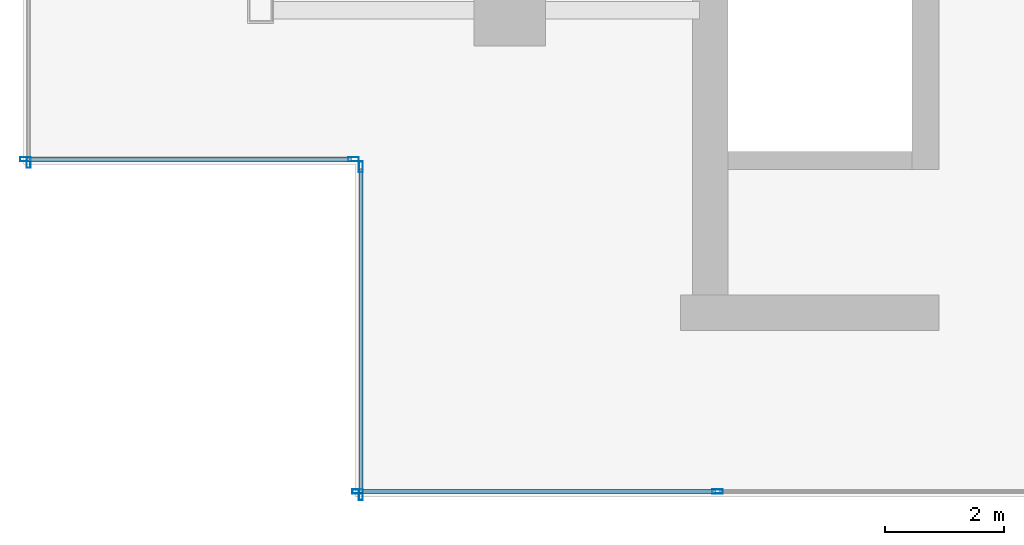
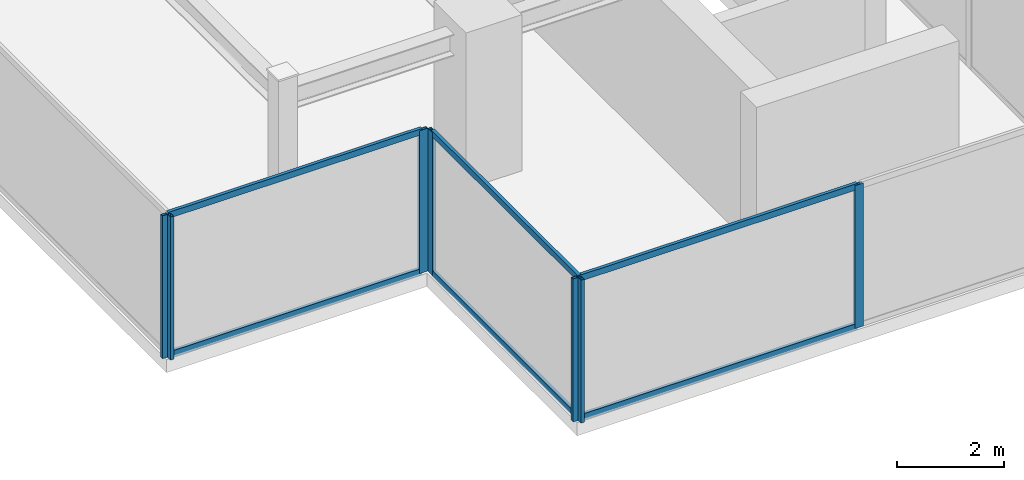
# One storey, part 2 of 16: 13 members, 4 elements without a shape of their own.
"""IFC4 building model written with IfcOpenShell, lengths in metres."""

from ifc_helpers import new_model, si_unit, direction, frame, origin, origin_2d, place, context, subcontext, project, spatial, hollow_rectangle, extrude, source, transform, mapped, material, material_profile, profile_set, type_object, type_shapes, element, aggregate, save


model = new_model("IFC4")

# Units and contexts
model_context = context("Model", 3, precision=1e-05, world=origin(), true_north=direction((0.0, 1.0)))
body_context = subcontext(model_context, "Body", "Model", "MODEL_VIEW")
ifc_project = project(units=[si_unit("LENGTHUNIT", "METRE"), si_unit("AREAUNIT", "SQUARE_METRE"), si_unit("VOLUMEUNIT", "CUBIC_METRE"), si_unit("PLANEANGLEUNIT", "RADIAN"), si_unit("MASSUNIT", "GRAM", prefix="KILO")], contexts=[model_context])

# Site, building, storey
site_placement = place(None, origin())
site = spatial("IfcSite", under=ifc_project, at=site_placement, CompositionType="ELEMENT")
building_placement = place(site_placement, origin())
building = spatial("IfcBuilding", under=site, at=building_placement, Name="Krantzveldt Concourse Tower", CompositionType="ELEMENT")
storey_placement = place(building_placement, frame((0.0, 0.0, 385.449951171875)))
storey = spatial("IfcBuildingStorey", under=building, at=storey_placement, Name="L95", CompositionType="ELEMENT", Elevation=385.449951171875)

# Curtain wall, members
ifc_material = material(Name="Anodised aluminium 6063-T6", Category="aluminium")
curtain_wall_type = type_object("IfcCurtainWallType", Name="CW7", PredefinedType="USERDEFINED", material=ifc_material)
curtain_wall_1_placement = place(storey_placement, origin())
curtain_wall_1 = element("IfcCurtainWall", 1, at=curtain_wall_1_placement, inside=storey, type_object=curtain_wall_type, Name="CW-L95-WEST-06", ObjectType="UNITISED CURTAIN WALL", PredefinedType="USERDEFINED")
ifc_material_profile_1 = material_profile(ifc_material, hollow_rectangle(XDim=0.070068359375, YDim=0.139892578125, WallThickness=0.0048828125, at=origin_2d()), Name="Anodised aluminium 6063-T6", Category="aluminium")
ifc_profile_set_1 = profile_set([ifc_material_profile_1], Name="Anodised aluminium 6063-T6 - ALU-TRAN 140x70x5")
member_type_1 = type_object("IfcMemberType", Name="CW-TRN-150", PredefinedType="USERDEFINED", material=ifc_profile_set_1)
shared_shape_1 = source(origin(), body_context, "Body", "SweptSolid", [
    extrude(hollow_rectangle(XDim=0.070068359375, YDim=0.139892578125, WallThickness=0.0048828125, at=origin_2d()), origin(), (0.0, 0.0, 1.0), 5.4599609375),
])
member_1_placement = place(storey_placement, frame((17.070068359375, 13.389892578125, 0.03515625), z_axis=(1.0, 0.0, 0.0), x_axis=(0.0, 1.0, 0.0)))
member_1 = element("IfcMember", 2, at=member_1_placement, type_object=member_type_1, Name="CW-CRN transom 1.1", ObjectType="TRANSOM", PredefinedType="USERDEFINED", context=body_context, shape_type="MappedRepresentation", body=[
    mapped(shared_shape_1, transform((0.0, 0.0, 0.0), x_axis=(1.0, 0.0, 0.0), y_axis=(0.0, 1.0, 0.0), z_axis=(0.0, 0.0, 1.0), scale=1.0)),
])
member_2_placement = place(storey_placement, frame((17.070068359375, 13.389892578125, 3.215087890625), z_axis=(1.0, 0.0, 0.0), x_axis=(0.0, 1.0, 0.0)))
member_2 = element("IfcMember", 3, at=member_2_placement, type_object=member_type_1, Name="CW-CRN transom 1.2", ObjectType="TRANSOM", PredefinedType="USERDEFINED", context=body_context, shape_type="MappedRepresentation", body=[
    mapped(shared_shape_1, transform((0.0, 0.0, 0.0), x_axis=(1.0, 0.0, 0.0), y_axis=(0.0, 1.0, 0.0), z_axis=(0.0, 0.0, 1.0), scale=1.0)),
])

curtain_wall_2_placement = place(storey_placement, origin())
curtain_wall_2 = element("IfcCurtainWall", 4, at=curtain_wall_2_placement, inside=storey, type_object=curtain_wall_type, Name="CW-L95-WEST-07", ObjectType="UNITISED CURTAIN WALL", PredefinedType="USERDEFINED")
member_3_placement = place(storey_placement, frame((22.68994140625, 13.22998046875, 0.03515625), z_axis=(0.0, -1.0, 0.0), x_axis=(1.0, 0.0, 0.0)))
member_3 = element("IfcMember", 5, at=member_3_placement, type_object=member_type_1, Name="CW-CRN transom 1.1", ObjectType="TRANSOM", PredefinedType="USERDEFINED", context=body_context, shape_type="MappedRepresentation", body=[
    mapped(shared_shape_1, transform((0.0, 0.0, 0.0), x_axis=(1.0, 0.0, 0.0), y_axis=(0.0, 1.0, 0.0), z_axis=(0.0, 0.0, 1.0), scale=1.0)),
])
member_4_placement = place(storey_placement, frame((22.68994140625, 13.22998046875, 3.215087890625), z_axis=(0.0, -1.0, 0.0), x_axis=(1.0, 0.0, 0.0)))
member_4 = element("IfcMember", 6, at=member_4_placement, type_object=member_type_1, Name="CW-CRN transom 1.2", ObjectType="TRANSOM", PredefinedType="USERDEFINED", context=body_context, shape_type="MappedRepresentation", body=[
    mapped(shared_shape_1, transform((0.0, 0.0, 0.0), x_axis=(1.0, 0.0, 0.0), y_axis=(0.0, 1.0, 0.0), z_axis=(0.0, 0.0, 1.0), scale=1.0)),
])

curtain_wall_3_placement = place(storey_placement, origin())
curtain_wall_3 = element("IfcCurtainWall", 7, at=curtain_wall_3_placement, inside=storey, type_object=curtain_wall_type, Name="CW-L95-WEST-00", ObjectType="UNITISED CURTAIN WALL", PredefinedType="USERDEFINED")
shared_shape_2 = source(origin(), body_context, "Body", "SweptSolid", [
    extrude(hollow_rectangle(XDim=0.070068359375, YDim=0.139892578125, WallThickness=0.0048828125, at=origin_2d()), origin(), (0.0, 0.0, 1.0), 5.9951171875),
])
type_shapes(member_type_1, [shared_shape_1, shared_shape_2])
member_5_placement = place(storey_placement, frame((22.669921875, 7.7900390625, 0.03515625), z_axis=(1.0, 0.0, 0.0), x_axis=(0.0, 1.0, 0.0)))
member_5 = element("IfcMember", 8, at=member_5_placement, type_object=member_type_1, Name="CW-CRN transom 1.1", ObjectType="TRANSOM", PredefinedType="USERDEFINED", context=body_context, shape_type="MappedRepresentation", body=[
    mapped(shared_shape_2, transform((0.0, 0.0, 0.0), x_axis=(1.0, 0.0, 0.0), y_axis=(0.0, 1.0, 0.0), z_axis=(0.0, 0.0, 1.0), scale=1.0)),
])
member_6_placement = place(storey_placement, frame((22.669921875, 7.7900390625, 3.215087890625), z_axis=(1.0, 0.0, 0.0), x_axis=(0.0, 1.0, 0.0)))
member_6 = element("IfcMember", 9, at=member_6_placement, type_object=member_type_1, Name="CW-CRN transom 1.2", ObjectType="TRANSOM", PredefinedType="USERDEFINED", context=body_context, shape_type="MappedRepresentation", body=[
    mapped(shared_shape_2, transform((0.0, 0.0, 0.0), x_axis=(1.0, 0.0, 0.0), y_axis=(0.0, 1.0, 0.0), z_axis=(0.0, 0.0, 1.0), scale=1.0)),
])
ifc_material_profile_2 = material_profile(ifc_material, hollow_rectangle(XDim=0.070068359375, YDim=0.179931640625, WallThickness=0.0048828125, at=origin_2d()), Name="Anodised aluminium 6063-T6", Category="aluminium")
ifc_profile_set_2 = profile_set([ifc_material_profile_2], Name="Anodised aluminium 6063-T6 - ALU-MULL 180x70x5")
member_type_2 = type_object("IfcMemberType", Name="CW-MUL-180", PredefinedType="MULLION", material=ifc_profile_set_2)
shared_shape_3 = source(origin(), body_context, "Body", "SweptSolid", [
    extrude(hollow_rectangle(XDim=0.070068359375, YDim=0.179931640625, WallThickness=0.0048828125, at=origin_2d()), origin(), (0.0, 0.0, 1.0), 3.25),
])
type_shapes(member_type_2, [shared_shape_3])
member_7_placement = place(storey_placement, frame((22.635009765625, 7.7900390625, 0.0), z_axis=(0.0, 0.0, 1.0), x_axis=(0.0, 1.0, 0.0)))
member_7 = element("IfcMember", 10, at=member_7_placement, type_object=member_type_2, Name="CW-CRN mullion 1", PredefinedType="MULLION", context=body_context, shape_type="MappedRepresentation", body=[
    mapped(shared_shape_3, transform((0.0, 0.0, 0.0), x_axis=(1.0, 0.0, 0.0), y_axis=(0.0, 1.0, 0.0), z_axis=(0.0, 0.0, 1.0), scale=1.0)),
])
member_8_placement = place(storey_placement, frame((28.699951171875, 7.7900390625, 0.0), z_axis=(0.0, 0.0, 1.0), x_axis=(0.0, 1.0, 0.0)))
member_8 = element("IfcMember", 11, at=member_8_placement, type_object=member_type_2, Name="CW-CRN mullion 2", PredefinedType="MULLION", context=body_context, shape_type="MappedRepresentation", body=[
    mapped(shared_shape_3, transform((0.0, 0.0, 0.0), x_axis=(1.0, 0.0, 0.0), y_axis=(0.0, 1.0, 0.0), z_axis=(0.0, 0.0, 1.0), scale=1.0)),
])
aggregate(curtain_wall_3, [member_7, member_8, member_5, member_6])

# Curtain wall, member
curtain_wall_4_placement = place(storey_placement, origin())
curtain_wall_4 = element("IfcCurtainWall", 12, at=curtain_wall_4_placement, inside=storey, type_object=curtain_wall_type, Name="CW-L95-WEST-05", ObjectType="UNITISED CURTAIN WALL", PredefinedType="USERDEFINED")
member_9_placement = place(storey_placement, frame((17.090087890625, 13.3349609375, 0.0), z_axis=(0.0, 0.0, 1.0), x_axis=(1.0, 0.0, 0.0)))
member_9 = element("IfcMember", 13, at=member_9_placement, type_object=member_type_2, Name="CW-CRN mullion 5", PredefinedType="MULLION", context=body_context, shape_type="MappedRepresentation", body=[
    mapped(shared_shape_3, transform((0.0, 0.0, 0.0), x_axis=(1.0, 0.0, 0.0), y_axis=(0.0, 1.0, 0.0), z_axis=(0.0, 0.0, 1.0), scale=1.0)),
])
aggregate(curtain_wall_4, [member_9])

# Member
member_10_placement = place(storey_placement, frame((17.034912109375, 13.389892578125, 0.0), z_axis=(0.0, 0.0, 1.0), x_axis=(0.0, 1.0, 0.0)))
member_10 = element("IfcMember", 14, at=member_10_placement, type_object=member_type_2, Name="CW-CRN mullion 1", PredefinedType="MULLION", context=body_context, shape_type="MappedRepresentation", body=[
    mapped(shared_shape_3, transform((0.0, 0.0, 0.0), x_axis=(1.0, 0.0, 0.0), y_axis=(0.0, 1.0, 0.0), z_axis=(0.0, 0.0, 1.0), scale=1.0)),
])

member_11_placement = place(storey_placement, frame((22.56494140625, 13.389892578125, 0.0), z_axis=(0.0, 0.0, 1.0), x_axis=(0.0, 1.0, 0.0)))
member_11 = element("IfcMember", 15, at=member_11_placement, type_object=member_type_2, Name="CW-CRN mullion 2", PredefinedType="MULLION", context=body_context, shape_type="MappedRepresentation", body=[
    mapped(shared_shape_3, transform((0.0, 0.0, 0.0), x_axis=(1.0, 0.0, 0.0), y_axis=(0.0, 1.0, 0.0), z_axis=(0.0, 0.0, 1.0), scale=1.0)),
])

aggregate(curtain_wall_1, [member_10, member_11, member_1, member_2])

member_12_placement = place(storey_placement, frame((22.68994140625, 13.264892578125, 0.0), z_axis=(0.0, 0.0, 1.0), x_axis=(1.0, 0.0, 0.0)))
member_12 = element("IfcMember", 16, at=member_12_placement, type_object=member_type_2, Name="CW-CRN mullion 1", PredefinedType="MULLION", context=body_context, shape_type="MappedRepresentation", body=[
    mapped(shared_shape_3, transform((0.0, 0.0, 0.0), x_axis=(1.0, 0.0, 0.0), y_axis=(0.0, 1.0, 0.0), z_axis=(0.0, 0.0, 1.0), scale=1.0)),
])

member_13_placement = place(storey_placement, frame((22.68994140625, 7.735107421875, 0.0), z_axis=(0.0, 0.0, 1.0), x_axis=(1.0, 0.0, 0.0)))
member_13 = element("IfcMember", 17, at=member_13_placement, type_object=member_type_2, Name="CW-CRN mullion 2", PredefinedType="MULLION", context=body_context, shape_type="MappedRepresentation", body=[
    mapped(shared_shape_3, transform((0.0, 0.0, 0.0), x_axis=(1.0, 0.0, 0.0), y_axis=(0.0, 1.0, 0.0), z_axis=(0.0, 0.0, 1.0), scale=1.0)),
])

aggregate(curtain_wall_2, [member_12, member_13, member_3, member_4])

save(model, "model.ifc")
